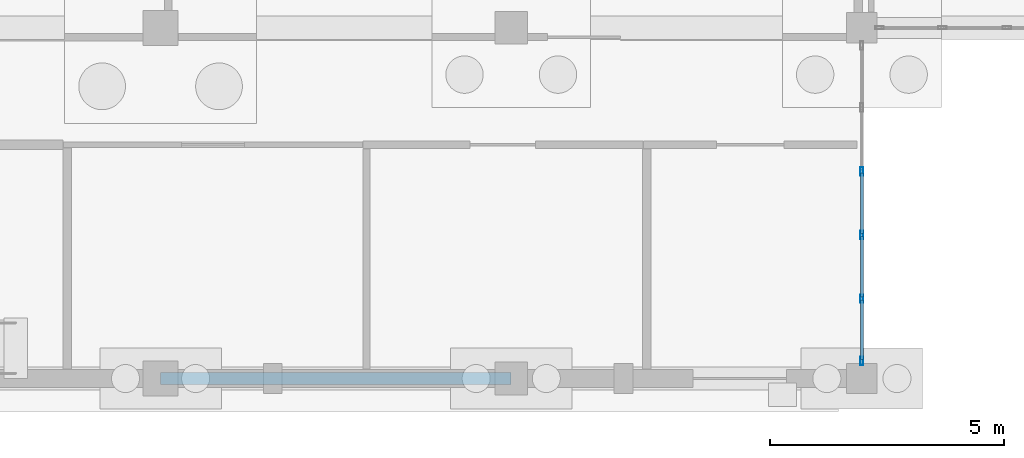
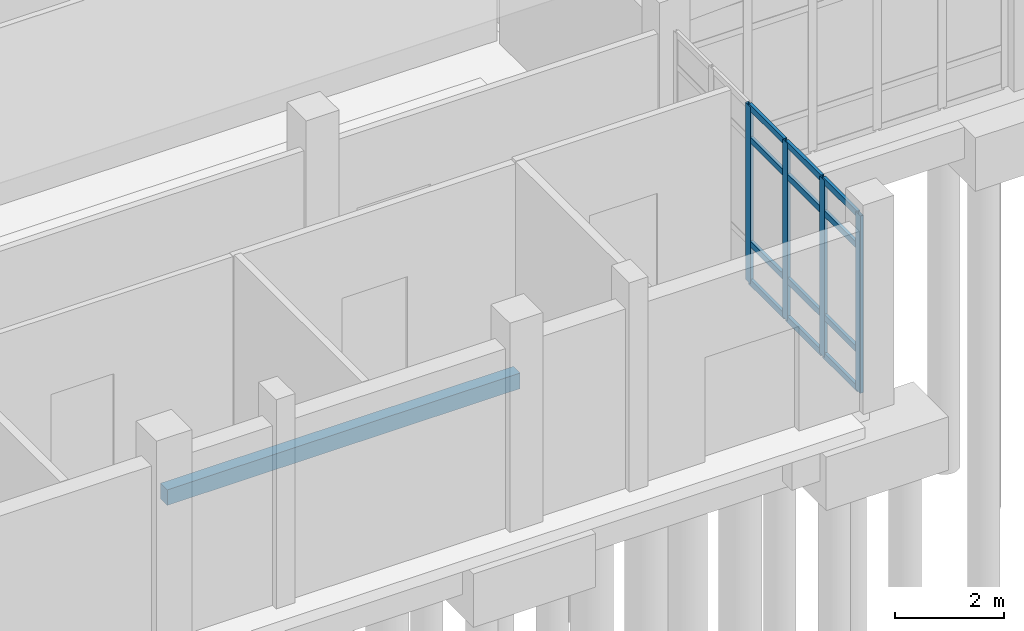
# One storey, part 33 of 173: 16 members, 1 beam, 1 element without a shape of its own.
"""IFC4 building model written with IfcOpenShell, lengths in metres."""

from ifc_helpers import new_model, si_unit, direction, frame, origin, origin_2d, place, context, subcontext, project, spatial, rectangle, hollow_rectangle, extrude, material, layer, layer_set, material_profile, profile_set, type_object, element, aggregate, save


model = new_model("IFC4")

# Units and contexts
model_context = context("Model", 3, precision=1e-05, world=origin(), true_north=direction((0.0, 1.0)))
body_context = subcontext(model_context, "Body", "Model", "MODEL_VIEW")
ifc_project = project(units=[si_unit("LENGTHUNIT", "METRE"), si_unit("AREAUNIT", "SQUARE_METRE"), si_unit("VOLUMEUNIT", "CUBIC_METRE"), si_unit("PLANEANGLEUNIT", "RADIAN"), si_unit("MASSUNIT", "GRAM", prefix="KILO")], contexts=[model_context])

# Site, building, storey
site_placement = place(None, origin())
site = spatial("IfcSite", under=ifc_project, at=site_placement, CompositionType="ELEMENT")
building_placement = place(site_placement, origin())
building = spatial("IfcBuilding", under=site, at=building_placement, Name="Mawjan Specialist Oncology Clinic", CompositionType="ELEMENT")
storey_placement = place(building_placement, origin())
storey = spatial("IfcBuildingStorey", under=building, at=storey_placement, Name="L00", CompositionType="ELEMENT", Elevation=0.0)

# Curtain wall, members
ifc_material_1 = material(Name="Unitised spectrally selective aluminium curtain wall", Category="aluminium")
ifc_layer = layer(ifc_material_1, 0.179931640625, Name="Unitised spectrally selective aluminium curtain wall", Category="aluminium")
ifc_layer_set = layer_set([ifc_layer], Name="Unitised spectrally selective aluminium curtain wall")
curtain_wall_type = type_object("IfcCurtainWallType", Name="CW-01", PredefinedType="NOTDEFINED", material=ifc_layer_set)
curtain_wall_placement = place(storey_placement, origin())
curtain_wall = element("IfcCurtainWall", 1, at=curtain_wall_placement, inside=storey, type_object=curtain_wall_type, Name="L00 Unitised Curtain Wall CW-L00-001", PredefinedType="NOTDEFINED")
ifc_material_2 = material(Name="Thermally broken aluminium 6063-T6", Category="aluminium")
ifc_material_profile_1 = material_profile(ifc_material_2, hollow_rectangle(XDim=0.06494140625, YDim=0.179931640625, WallThickness=0.00390625, at=origin_2d()), Name="ALU MULLION 180x65x4", Category="aluminium")
ifc_profile_set_1 = profile_set([ifc_material_profile_1], Name="Thermally broken aluminium 6063-T6")
member_type_1 = type_object("IfcMemberType", Name="CW-M180", PredefinedType="MULLION", material=ifc_profile_set_1)
member_1_placement = place(storey_placement, frame((45.0, 5.23095703125, 0.0), z_axis=(0.0, 0.0, 1.0), x_axis=(1.0, 0.0, 0.0)))
member_1 = element("IfcMember", 2, at=member_1_placement, type_object=member_type_1, Name="CW-01 mullion 3", PredefinedType="MULLION", context=body_context, shape_type="SweptSolid", body=[
    extrude(hollow_rectangle(XDim=0.06494140625, YDim=0.179931640625, WallThickness=0.00390625, at=origin_2d()), origin(), (0.0, 0.0, 1.0), 3.985107421875),
])
member_2_placement = place(storey_placement, frame((45.0, 3.868896484375, 0.0), z_axis=(0.0, 0.0, 1.0), x_axis=(1.0, 0.0, 0.0)))
member_2 = element("IfcMember", 3, at=member_2_placement, type_object=member_type_1, Name="CW-01 mullion 4", PredefinedType="MULLION", context=body_context, shape_type="SweptSolid", body=[
    extrude(hollow_rectangle(XDim=0.06494140625, YDim=0.179931640625, WallThickness=0.00390625, at=origin_2d()), origin(), (0.0, 0.0, 1.0), 3.985107421875),
])
member_3_placement = place(storey_placement, frame((45.0, 2.507080078125, 0.0), z_axis=(0.0, 0.0, 1.0), x_axis=(1.0, 0.0, 0.0)))
member_3 = element("IfcMember", 4, at=member_3_placement, type_object=member_type_1, Name="CW-01 mullion 5", PredefinedType="MULLION", context=body_context, shape_type="SweptSolid", body=[
    extrude(hollow_rectangle(XDim=0.06494140625, YDim=0.179931640625, WallThickness=0.00390625, at=origin_2d()), origin(), (0.0, 0.0, 1.0), 3.985107421875),
])
member_4_placement = place(storey_placement, frame((45.0, 1.177490234375, 0.0), z_axis=(0.0, 0.0, 1.0), x_axis=(1.0, 0.0, 0.0)))
member_4 = element("IfcMember", 5, at=member_4_placement, type_object=member_type_1, Name="CW-01 mullion 6", PredefinedType="MULLION", context=body_context, shape_type="SweptSolid", body=[
    extrude(hollow_rectangle(XDim=0.06494140625, YDim=0.179931640625, WallThickness=0.00390625, at=origin_2d()), origin(), (0.0, 0.0, 1.0), 3.985107421875),
])
ifc_material_3 = material(Name="Thermally broken aluminium 6063-T6", Category="aluminium")
ifc_material_profile_2 = material_profile(ifc_material_3, hollow_rectangle(XDim=0.06494140625, YDim=0.139892578125, WallThickness=0.00390625, at=origin_2d()), Name="ALU TRANSOM 140x65x4", Category="aluminium")
ifc_profile_set_2 = profile_set([ifc_material_profile_2], Name="Thermally broken aluminium 6063-T6")
member_type_2 = type_object("IfcMemberType", Name="CW-T140", PredefinedType="USERDEFINED", material=ifc_profile_set_2)
member_5_placement = place(storey_placement, frame((45.0, 5.198486328125, 0.032470703125), z_axis=(0.0, -1.0, 0.0), x_axis=(1.0, 0.0, 0.0)))
member_5 = element("IfcMember", 6, at=member_5_placement, type_object=member_type_2, Name="CW-01 transom 3.1", ObjectType="TRANSOM", PredefinedType="USERDEFINED", context=body_context, shape_type="SweptSolid", body=[
    extrude(hollow_rectangle(XDim=0.06494140625, YDim=0.139892578125, WallThickness=0.00390625, at=origin_2d()), origin(), (0.0, 0.0, 1.0), 1.296875),
])
member_6_placement = place(storey_placement, frame((45.0, 5.198486328125, 0.89990234375), z_axis=(0.0, -1.0, 0.0), x_axis=(1.0, 0.0, 0.0)))
member_6 = element("IfcMember", 7, at=member_6_placement, type_object=member_type_2, Name="CW-01 transom 3.2", ObjectType="TRANSOM", PredefinedType="USERDEFINED", context=body_context, shape_type="SweptSolid", body=[
    extrude(hollow_rectangle(XDim=0.06494140625, YDim=0.139892578125, WallThickness=0.00390625, at=origin_2d()), origin(), (0.0, 0.0, 1.0), 1.296875),
])
member_7_placement = place(storey_placement, frame((45.0, 5.198486328125, 3.235107421875), z_axis=(0.0, -1.0, 0.0), x_axis=(1.0, 0.0, 0.0)))
member_7 = element("IfcMember", 8, at=member_7_placement, type_object=member_type_2, Name="CW-01 transom 3.3", ObjectType="TRANSOM", PredefinedType="USERDEFINED", context=body_context, shape_type="SweptSolid", body=[
    extrude(hollow_rectangle(XDim=0.06494140625, YDim=0.139892578125, WallThickness=0.00390625, at=origin_2d()), origin(), (0.0, 0.0, 1.0), 1.296875),
])
member_8_placement = place(storey_placement, frame((45.0, 5.198486328125, 3.952392578125), z_axis=(0.0, -1.0, 0.0), x_axis=(1.0, 0.0, 0.0)))
member_8 = element("IfcMember", 9, at=member_8_placement, type_object=member_type_2, Name="CW-01 transom 3.4", ObjectType="TRANSOM", PredefinedType="USERDEFINED", context=body_context, shape_type="SweptSolid", body=[
    extrude(hollow_rectangle(XDim=0.06494140625, YDim=0.139892578125, WallThickness=0.00390625, at=origin_2d()), origin(), (0.0, 0.0, 1.0), 1.296875),
])
member_9_placement = place(storey_placement, frame((45.0, 3.83642578125, 0.032470703125), z_axis=(0.0, -1.0, 0.0), x_axis=(1.0, 0.0, 0.0)))
member_9 = element("IfcMember", 10, at=member_9_placement, type_object=member_type_2, Name="CW-01 transom 4.1", ObjectType="TRANSOM", PredefinedType="USERDEFINED", context=body_context, shape_type="SweptSolid", body=[
    extrude(hollow_rectangle(XDim=0.06494140625, YDim=0.139892578125, WallThickness=0.00390625, at=origin_2d()), origin(), (0.0, 0.0, 1.0), 1.296875),
])
member_10_placement = place(storey_placement, frame((45.0, 3.83642578125, 0.89990234375), z_axis=(0.0, -1.0, 0.0), x_axis=(1.0, 0.0, 0.0)))
member_10 = element("IfcMember", 11, at=member_10_placement, type_object=member_type_2, Name="CW-01 transom 4.2", ObjectType="TRANSOM", PredefinedType="USERDEFINED", context=body_context, shape_type="SweptSolid", body=[
    extrude(hollow_rectangle(XDim=0.06494140625, YDim=0.139892578125, WallThickness=0.00390625, at=origin_2d()), origin(), (0.0, 0.0, 1.0), 1.296875),
])
member_11_placement = place(storey_placement, frame((45.0, 3.83642578125, 3.235107421875), z_axis=(0.0, -1.0, 0.0), x_axis=(1.0, 0.0, 0.0)))
member_11 = element("IfcMember", 12, at=member_11_placement, type_object=member_type_2, Name="CW-01 transom 4.3", ObjectType="TRANSOM", PredefinedType="USERDEFINED", context=body_context, shape_type="SweptSolid", body=[
    extrude(hollow_rectangle(XDim=0.06494140625, YDim=0.139892578125, WallThickness=0.00390625, at=origin_2d()), origin(), (0.0, 0.0, 1.0), 1.296875),
])
member_12_placement = place(storey_placement, frame((45.0, 3.83642578125, 3.952392578125), z_axis=(0.0, -1.0, 0.0), x_axis=(1.0, 0.0, 0.0)))
member_12 = element("IfcMember", 13, at=member_12_placement, type_object=member_type_2, Name="CW-01 transom 4.4", ObjectType="TRANSOM", PredefinedType="USERDEFINED", context=body_context, shape_type="SweptSolid", body=[
    extrude(hollow_rectangle(XDim=0.06494140625, YDim=0.139892578125, WallThickness=0.00390625, at=origin_2d()), origin(), (0.0, 0.0, 1.0), 1.296875),
])
member_13_placement = place(storey_placement, frame((45.0, 2.474609375, 0.032470703125), z_axis=(0.0, -1.0, 0.0), x_axis=(1.0, 0.0, 0.0)))
member_13 = element("IfcMember", 14, at=member_13_placement, type_object=member_type_2, Name="CW-01 transom 5.1", ObjectType="TRANSOM", PredefinedType="USERDEFINED", context=body_context, shape_type="SweptSolid", body=[
    extrude(hollow_rectangle(XDim=0.06494140625, YDim=0.139892578125, WallThickness=0.00390625, at=origin_2d()), origin(), (0.0, 0.0, 1.0), 1.2646484375),
])
member_14_placement = place(storey_placement, frame((45.0, 2.474609375, 0.89990234375), z_axis=(0.0, -1.0, 0.0), x_axis=(1.0, 0.0, 0.0)))
member_14 = element("IfcMember", 15, at=member_14_placement, type_object=member_type_2, Name="CW-01 transom 5.2", ObjectType="TRANSOM", PredefinedType="USERDEFINED", context=body_context, shape_type="SweptSolid", body=[
    extrude(hollow_rectangle(XDim=0.06494140625, YDim=0.139892578125, WallThickness=0.00390625, at=origin_2d()), origin(), (0.0, 0.0, 1.0), 1.2646484375),
])
member_15_placement = place(storey_placement, frame((45.0, 2.474609375, 3.235107421875), z_axis=(0.0, -1.0, 0.0), x_axis=(1.0, 0.0, 0.0)))
member_15 = element("IfcMember", 16, at=member_15_placement, type_object=member_type_2, Name="CW-01 transom 5.3", ObjectType="TRANSOM", PredefinedType="USERDEFINED", context=body_context, shape_type="SweptSolid", body=[
    extrude(hollow_rectangle(XDim=0.06494140625, YDim=0.139892578125, WallThickness=0.00390625, at=origin_2d()), origin(), (0.0, 0.0, 1.0), 1.2646484375),
])
member_16_placement = place(storey_placement, frame((45.0, 2.474609375, 3.952392578125), z_axis=(0.0, -1.0, 0.0), x_axis=(1.0, 0.0, 0.0)))
member_16 = element("IfcMember", 17, at=member_16_placement, type_object=member_type_2, Name="CW-01 transom 5.4", ObjectType="TRANSOM", PredefinedType="USERDEFINED", context=body_context, shape_type="SweptSolid", body=[
    extrude(hollow_rectangle(XDim=0.06494140625, YDim=0.139892578125, WallThickness=0.00390625, at=origin_2d()), origin(), (0.0, 0.0, 1.0), 1.2646484375),
])
aggregate(curtain_wall, [member_1, member_2, member_3, member_4, member_5, member_6, member_7, member_8, member_9, member_10, member_11, member_12, member_13, member_14, member_15, member_16])

# Beam
ifc_material_4 = material(Name="Concrete C40/50", Category="concrete")
ifc_material_profile_3 = material_profile(ifc_material_4, rectangle(XDim=0.25, YDim=0.35009765625, at=origin_2d()), Name="RC LINTEL 250x350", Category="concrete")
ifc_profile_set_3 = profile_set([ifc_material_profile_3], Name="Concrete C40/50")
beam_type = type_object("IfcBeamType", Name="LNT-250", PredefinedType="LINTEL", material=ifc_profile_set_3)
beam_placement = place(storey_placement, frame((30.0, 0.800048828125, 3.14990234375), z_axis=(1.0, 0.0, 0.0), x_axis=(0.0, 1.0, 0.0)))
element("IfcBeam", 18, at=beam_placement, inside=storey, type_object=beam_type, Name="L00 Reinforced Concrete Lintel 3", PredefinedType="LINTEL", context=body_context, shape_type="SweptSolid", body=[
    extrude(rectangle(XDim=0.25, YDim=0.35009765625, at=origin_2d()), origin(), (0.0, 0.0, 1.0), 7.5),
])

save(model, "model.ifc")
